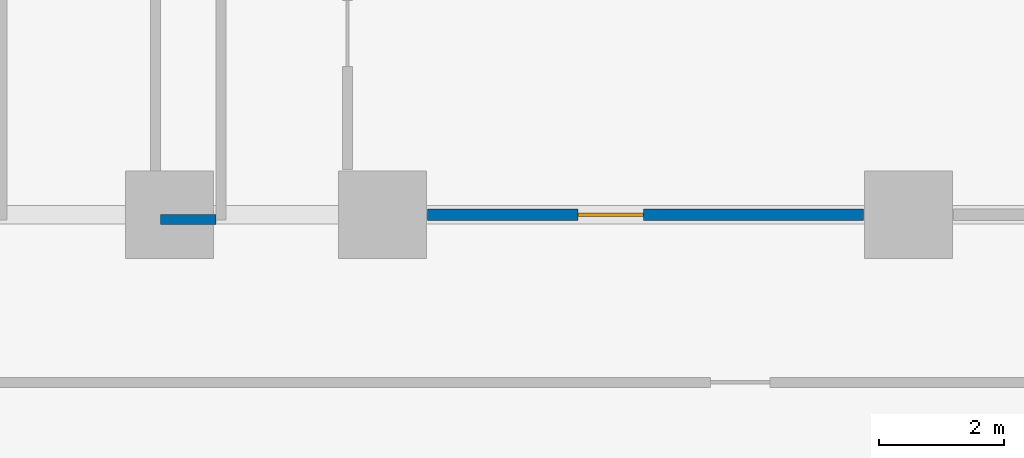
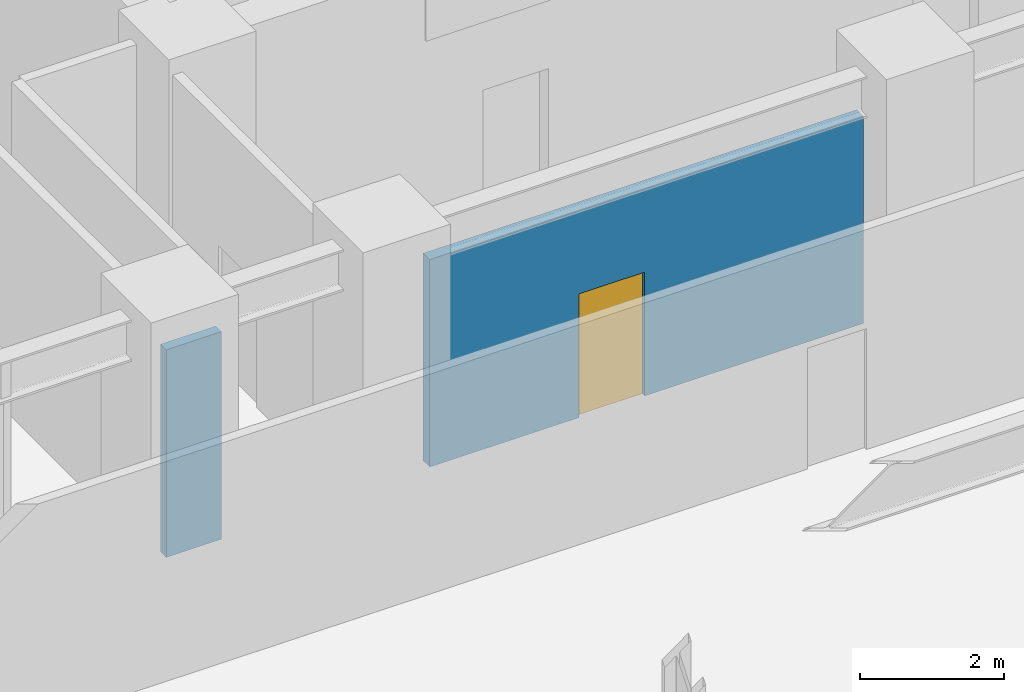
# One storey, part 5 of 15: 2 walls, 1 door, 1 opening.
"""IFC4 building model written with IfcOpenShell, lengths in metres."""

from ifc_helpers import new_model, si_unit, derived_unit, direction, frame, frame_2d, origin, place, context, subcontext, project, spatial, rectangle, extrude, material, layer, layer_set, type_object, element, fill, save


model = new_model("IFC4")

# Units and contexts
model_context = context("Model", 3, precision=1e-05, world=origin(), true_north=direction((0.0, 1.0)))
body_context = subcontext(model_context, "Body", "Model", "MODEL_VIEW")
ifc_project = project(units=[si_unit("LENGTHUNIT", "METRE"), si_unit("AREAUNIT", "SQUARE_METRE"), si_unit("VOLUMEUNIT", "CUBIC_METRE"), si_unit("PLANEANGLEUNIT", "RADIAN"), si_unit("MASSUNIT", "GRAM", prefix="KILO"), derived_unit("THERMALTRANSMITTANCEUNIT", [(si_unit("POWERUNIT", "WATT"), 1), (si_unit("LENGTHUNIT", "METRE"), -2), (si_unit("THERMODYNAMICTEMPERATUREUNIT", "KELVIN"), -1)])], contexts=[model_context])

# Site, building, storey
site_placement = place(None, origin())
site = spatial("IfcSite", under=ifc_project, at=site_placement, CompositionType="ELEMENT")
building_placement = place(site_placement, origin())
building = spatial("IfcBuilding", under=site, at=building_placement, Name="Korsvarv Bourse and Concert Hall", CompositionType="ELEMENT")
storey_placement = place(building_placement, frame((0.0, 0.0, -4.5)))
storey = spatial("IfcBuildingStorey", under=building, at=storey_placement, Name="B01", CompositionType="ELEMENT", Elevation=-4.5)

# Wall
ifc_material_1 = material(Name="Double-stud fire-rated acoustic partition", Category="gypsum")
ifc_layer_1 = layer(ifc_material_1, 0.159912109375)
ifc_layer_set_1 = layer_set([ifc_layer_1], Name="Double-stud fire-rated acoustic partition")
wall_type_1 = type_object("IfcWallType", Name="WL-INT-EI60", PredefinedType="PARTITIONING", material=ifc_layer_set_1)
wall_1_placement = place(storey_placement, frame((24.056884765625, 32.324951171875, 0.0), z_axis=(0.0, 0.0, 1.0), x_axis=(1.0, 0.0, 0.0)))
element("IfcWall", 1, at=wall_1_placement, inside=storey, type_object=wall_type_1, Name="B01 interior partition wall W-B01-BCOR-12", PredefinedType="PARTITIONING", context=body_context, shape_type="SweptSolid", body=[
    extrude(rectangle(XDim=0.88623046875, YDim=0.159912109375, at=frame_2d((0.443115234375, 0.0))), origin(), (0.0, 0.0, 1.0), 3.52001953125),
])

# Wall, opening, door
ifc_material_2 = material(Name="Gypsum-clad autoclaved concrete shaft wall C30/37", Category="concrete")
ifc_layer_2 = layer(ifc_material_2, 0.179931640625)
ifc_layer_set_2 = layer_set([ifc_layer_2], Name="Gypsum-clad autoclaved concrete shaft wall C30/37")
wall_type_2 = type_object("IfcWallType", Name="WL-INT-EI90", PredefinedType="PARTITIONING", material=ifc_layer_set_2)
wall_2_placement = place(storey_placement, frame((28.320068359375, 32.39990234375, 0.0), z_axis=(0.0, 0.0, 1.0), x_axis=(1.0, 0.0, 0.0)))
wall_2 = element("IfcWall", 2, at=wall_2_placement, inside=storey, type_object=wall_type_2, Name="B01 interior partition wall W-B01-CB-SO", PredefinedType="PARTITIONING", context=body_context, shape_type="SweptSolid", body=[
    extrude(rectangle(XDim=6.9599609375, YDim=0.179931640625, at=frame_2d((3.47998046875, 0.0))), origin(), (0.0, 0.0, 1.0), 3.52001953125),
])
opening_placement = place(wall_2_placement, frame((2.39990234375, 0.0, 0.0)))
opening = element("IfcOpeningElement", 3, at=opening_placement, cuts=wall_2, Name="Opening D-01", PredefinedType="OPENING", context=body_context, shape_type="SweptSolid", body=[
    extrude(rectangle(XDim=1.050048828125, YDim=2.10009765625, at=frame_2d((0.52490234375, 1.050048828125))), frame((0.0, 0.10009765625, 0.0), z_axis=(0.0, -1.0, 0.0), x_axis=(1.0, 0.0, 0.0)), (0.0, 0.0, 1.0), 0.199951171875),
])
ifc_material_3 = material(Name="Steel S355 fire door", Category="steel")
door_type = type_object("IfcDoorType", Name="DR-FD60", OperationType="NOTDEFINED", PredefinedType="DOOR", material=ifc_material_3)
door_placement = place(opening_placement, frame((1.050048828125, 0.0, 0.0), z_axis=(0.0, 0.0, 1.0), x_axis=(-1.0, 0.0, 0.0)))
door = element("IfcDoor", 4, at=door_placement, inside=storey, type_object=door_type, Name="B01 interior door DR-B01-CLOB-S", OperationType="SINGLE_SWING_LEFT", OverallHeight=2.10009765625, OverallWidth=1.050048828125, PredefinedType="DOOR", context=body_context, shape_type="SweptSolid", body=[
    extrude(rectangle(XDim=1.050048828125, YDim=2.10009765625, at=frame_2d((0.52490234375, 1.050048828125))), frame((0.0, 0.02490234375, 0.0), z_axis=(0.0, -1.0, 0.0), x_axis=(1.0, 0.0, 0.0)), (0.0, 0.0, 1.0), 0.050048828125),
])
fill(opening, door)

save(model, "model.ifc")
